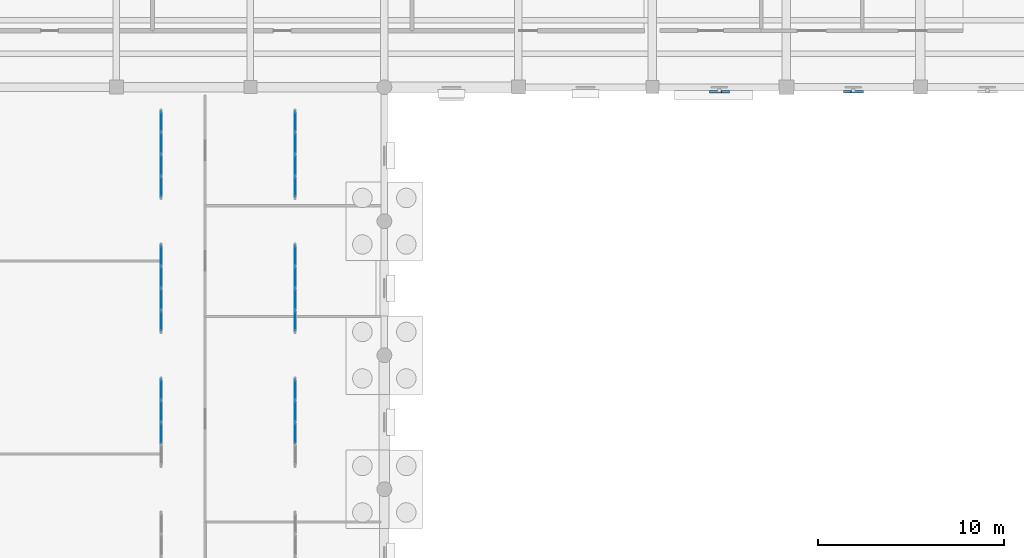
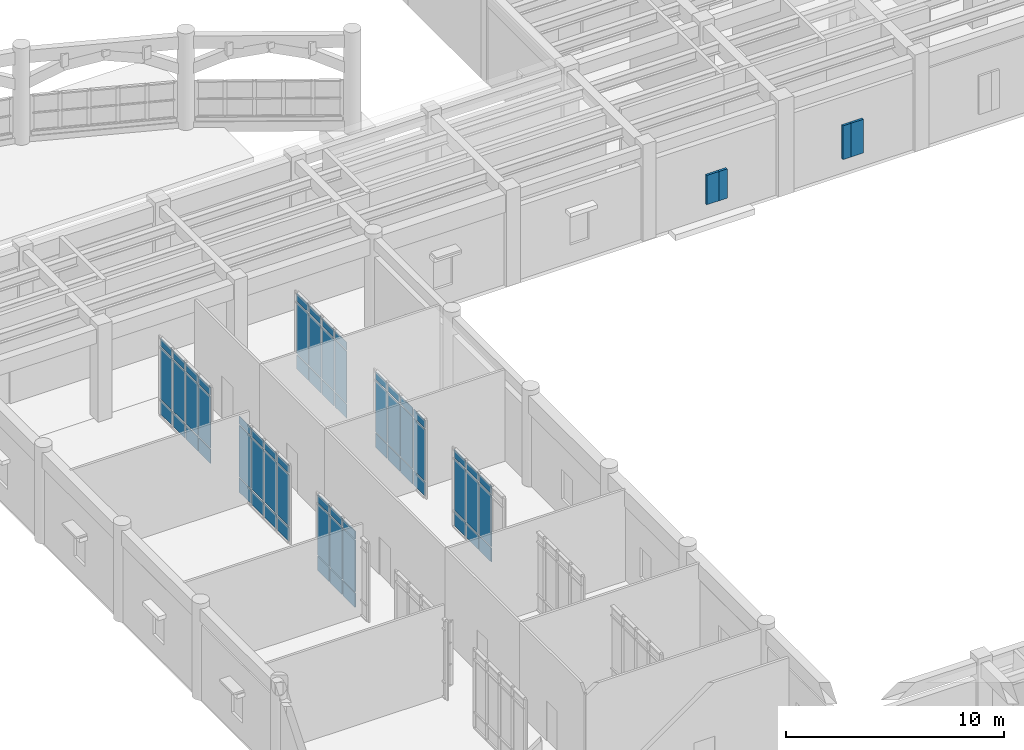
# One storey, part 59 of 100: 70 plates, 6 elements without a shape of their own.
"""IFC4 building model written with IfcOpenShell, lengths in metres."""

from ifc_helpers import new_model, si_unit, direction, frame, origin, origin_2d, place, context, subcontext, project, spatial, rectangle, extrude, material, layer, layer_set, type_object, element, aggregate, save


model = new_model("IFC4")

# Units and contexts
model_context = context("Model", 3, precision=1e-05, world=origin(), true_north=direction((0.0, 1.0)))
body_context = subcontext(model_context, "Body", "Model", "MODEL_VIEW")
ifc_project = project(units=[si_unit("LENGTHUNIT", "METRE"), si_unit("AREAUNIT", "SQUARE_METRE"), si_unit("VOLUMEUNIT", "CUBIC_METRE"), si_unit("PLANEANGLEUNIT", "RADIAN"), si_unit("MASSUNIT", "GRAM", prefix="KILO")], contexts=[model_context])

# Site, building, storey
site_placement = place(None, origin())
site = spatial("IfcSite", under=ifc_project, at=site_placement, CompositionType="ELEMENT")
building_placement = place(site_placement, origin())
building = spatial("IfcBuilding", under=site, at=building_placement, Name="Mithqara Police Headquarters", CompositionType="ELEMENT")
storey_placement = place(building_placement, origin())
storey = spatial("IfcBuildingStorey", under=building, at=storey_placement, Name="L00", CompositionType="ELEMENT", Elevation=0.0)

# Curtain wall, plates
ifc_material_1 = material(Name="Bronze anodised aluminium 6063-T6", Category="aluminium")
curtain_wall_type = type_object("IfcCurtainWallType", Name="CURTAIN WALL 4700X4400", PredefinedType="USERDEFINED", material=ifc_material_1)
curtain_wall_1_placement = place(storey_placement, origin())
curtain_wall_1 = element("IfcCurtainWall", 1, at=curtain_wall_1_placement, inside=storey, type_object=curtain_wall_type, Name="L00 Unitised Glazing CW-14 (CW-INT-L00-X11-Y09-0)", ObjectType="UNITISED GLAZING", PredefinedType="USERDEFINED")
ifc_material_2 = material(Name="Spectrally selective double low-e glass", Category="glass")
ifc_layer_1 = layer(ifc_material_2, 0.028076171875, Name="Spectrally selective double low-e glass")
ifc_layer_set_1 = layer_set([ifc_layer_1], Name="Spectrally selective double low-e glass")
plate_type_1 = type_object("IfcPlateType", Name="CWPANEL GLASS28", PredefinedType="CURTAIN_PANEL", material=ifc_layer_set_1)
plate_1_placement = place(storey_placement, frame((82.199951171875, 66.05615234375, 0.074951171875), z_axis=(0.0, 0.0, 1.0), x_axis=(0.0, 1.0, 0.0)))
plate_1 = element("IfcPlate", 2, at=plate_1_placement, type_object=plate_type_1, Name="CW-14 panel 1.1", PredefinedType="CURTAIN_PANEL", context=body_context, shape_type="SweptSolid", body=[
    extrude(rectangle(XDim=1.0625, YDim=0.028076171875, at=origin_2d()), origin(), (0.0, 0.0, 1.0), 0.78759765625),
])
plate_2_placement = place(storey_placement, frame((82.199951171875, 66.05615234375, 0.9375), z_axis=(0.0, 0.0, 1.0), x_axis=(0.0, 1.0, 0.0)))
plate_2 = element("IfcPlate", 3, at=plate_2_placement, type_object=plate_type_1, Name="CW-14 panel 1.2", PredefinedType="CURTAIN_PANEL", context=body_context, shape_type="SweptSolid", body=[
    extrude(rectangle(XDim=1.0625, YDim=0.028076171875, at=origin_2d()), origin(), (0.0, 0.0, 1.0), 2.875),
])
plate_3_placement = place(storey_placement, frame((82.199951171875, 66.05615234375, 3.887451171875), z_axis=(0.0, 0.0, 1.0), x_axis=(0.0, 1.0, 0.0)))
plate_3 = element("IfcPlate", 4, at=plate_3_placement, type_object=plate_type_1, Name="CW-14 panel 1.3", PredefinedType="CURTAIN_PANEL", context=body_context, shape_type="SweptSolid", body=[
    extrude(rectangle(XDim=1.0625, YDim=0.028076171875, at=origin_2d()), origin(), (0.0, 0.0, 1.0), 0.4375),
])
plate_4_placement = place(storey_placement, frame((82.199951171875, 67.21240234375, 0.074951171875), z_axis=(0.0, 0.0, 1.0), x_axis=(0.0, 1.0, 0.0)))
plate_4 = element("IfcPlate", 5, at=plate_4_placement, type_object=plate_type_1, Name="CW-14 panel 2.1", PredefinedType="CURTAIN_PANEL", context=body_context, shape_type="SweptSolid", body=[
    extrude(rectangle(XDim=1.10009765625, YDim=0.028076171875, at=origin_2d()), origin(), (0.0, 0.0, 1.0), 0.78759765625),
])
plate_5_placement = place(storey_placement, frame((82.199951171875, 67.21240234375, 0.9375), z_axis=(0.0, 0.0, 1.0), x_axis=(0.0, 1.0, 0.0)))
plate_5 = element("IfcPlate", 6, at=plate_5_placement, type_object=plate_type_1, Name="CW-14 panel 2.2", PredefinedType="CURTAIN_PANEL", context=body_context, shape_type="SweptSolid", body=[
    extrude(rectangle(XDim=1.10009765625, YDim=0.028076171875, at=origin_2d()), origin(), (0.0, 0.0, 1.0), 2.875),
])
plate_6_placement = place(storey_placement, frame((82.199951171875, 67.21240234375, 3.887451171875), z_axis=(0.0, 0.0, 1.0), x_axis=(0.0, 1.0, 0.0)))
plate_6 = element("IfcPlate", 7, at=plate_6_placement, type_object=plate_type_1, Name="CW-14 panel 2.3", PredefinedType="CURTAIN_PANEL", context=body_context, shape_type="SweptSolid", body=[
    extrude(rectangle(XDim=1.10009765625, YDim=0.028076171875, at=origin_2d()), origin(), (0.0, 0.0, 1.0), 0.4375),
])
plate_7_placement = place(storey_placement, frame((82.199951171875, 68.387451171875, 0.074951171875), z_axis=(0.0, 0.0, 1.0), x_axis=(0.0, 1.0, 0.0)))
plate_7 = element("IfcPlate", 8, at=plate_7_placement, type_object=plate_type_1, Name="CW-14 panel 3.1", PredefinedType="CURTAIN_PANEL", context=body_context, shape_type="SweptSolid", body=[
    extrude(rectangle(XDim=1.10009765625, YDim=0.028076171875, at=origin_2d()), origin(), (0.0, 0.0, 1.0), 0.78759765625),
])
plate_8_placement = place(storey_placement, frame((82.199951171875, 68.387451171875, 0.9375), z_axis=(0.0, 0.0, 1.0), x_axis=(0.0, 1.0, 0.0)))
plate_8 = element("IfcPlate", 9, at=plate_8_placement, type_object=plate_type_1, Name="CW-14 panel 3.2", PredefinedType="CURTAIN_PANEL", context=body_context, shape_type="SweptSolid", body=[
    extrude(rectangle(XDim=1.10009765625, YDim=0.028076171875, at=origin_2d()), origin(), (0.0, 0.0, 1.0), 2.875),
])
plate_9_placement = place(storey_placement, frame((82.199951171875, 68.387451171875, 3.887451171875), z_axis=(0.0, 0.0, 1.0), x_axis=(0.0, 1.0, 0.0)))
plate_9 = element("IfcPlate", 10, at=plate_9_placement, type_object=plate_type_1, Name="CW-14 panel 3.3", PredefinedType="CURTAIN_PANEL", context=body_context, shape_type="SweptSolid", body=[
    extrude(rectangle(XDim=1.10009765625, YDim=0.028076171875, at=origin_2d()), origin(), (0.0, 0.0, 1.0), 0.4375),
])
plate_10_placement = place(storey_placement, frame((82.199951171875, 69.543701171875, 0.074951171875), z_axis=(0.0, 0.0, 1.0), x_axis=(0.0, 1.0, 0.0)))
plate_10 = element("IfcPlate", 11, at=plate_10_placement, type_object=plate_type_1, Name="CW-14 panel 4.1", PredefinedType="CURTAIN_PANEL", context=body_context, shape_type="SweptSolid", body=[
    extrude(rectangle(XDim=1.0625, YDim=0.028076171875, at=origin_2d()), origin(), (0.0, 0.0, 1.0), 0.78759765625),
])
plate_11_placement = place(storey_placement, frame((82.199951171875, 69.543701171875, 0.9375), z_axis=(0.0, 0.0, 1.0), x_axis=(0.0, 1.0, 0.0)))
plate_11 = element("IfcPlate", 12, at=plate_11_placement, type_object=plate_type_1, Name="CW-14 panel 4.2", PredefinedType="CURTAIN_PANEL", context=body_context, shape_type="SweptSolid", body=[
    extrude(rectangle(XDim=1.0625, YDim=0.028076171875, at=origin_2d()), origin(), (0.0, 0.0, 1.0), 2.875),
])
plate_12_placement = place(storey_placement, frame((82.199951171875, 69.543701171875, 3.887451171875), z_axis=(0.0, 0.0, 1.0), x_axis=(0.0, 1.0, 0.0)))
plate_12 = element("IfcPlate", 13, at=plate_12_placement, type_object=plate_type_1, Name="CW-14 panel 4.3", PredefinedType="CURTAIN_PANEL", context=body_context, shape_type="SweptSolid", body=[
    extrude(rectangle(XDim=1.0625, YDim=0.028076171875, at=origin_2d()), origin(), (0.0, 0.0, 1.0), 0.4375),
])
aggregate(curtain_wall_1, [plate_1, plate_2, plate_3, plate_4, plate_5, plate_6, plate_7, plate_8, plate_9, plate_10, plate_11, plate_12])

curtain_wall_2_placement = place(storey_placement, origin())
curtain_wall_2 = element("IfcCurtainWall", 14, at=curtain_wall_2_placement, inside=storey, type_object=curtain_wall_type, Name="L00 Unitised Glazing CW-14 (CW-INT-L00-X11-Y10-0)", ObjectType="UNITISED GLAZING", PredefinedType="USERDEFINED")
plate_13_placement = place(storey_placement, frame((82.199951171875, 73.25634765625, 0.074951171875), z_axis=(0.0, 0.0, 1.0), x_axis=(0.0, 1.0, 0.0)))
plate_13 = element("IfcPlate", 15, at=plate_13_placement, type_object=plate_type_1, Name="CW-14 panel 1.1", PredefinedType="CURTAIN_PANEL", context=body_context, shape_type="SweptSolid", body=[
    extrude(rectangle(XDim=1.0625, YDim=0.028076171875, at=origin_2d()), origin(), (0.0, 0.0, 1.0), 0.78759765625),
])
plate_14_placement = place(storey_placement, frame((82.199951171875, 73.25634765625, 0.9375), z_axis=(0.0, 0.0, 1.0), x_axis=(0.0, 1.0, 0.0)))
plate_14 = element("IfcPlate", 16, at=plate_14_placement, type_object=plate_type_1, Name="CW-14 panel 1.2", PredefinedType="CURTAIN_PANEL", context=body_context, shape_type="SweptSolid", body=[
    extrude(rectangle(XDim=1.0625, YDim=0.028076171875, at=origin_2d()), origin(), (0.0, 0.0, 1.0), 2.875),
])
plate_15_placement = place(storey_placement, frame((82.199951171875, 73.25634765625, 3.887451171875), z_axis=(0.0, 0.0, 1.0), x_axis=(0.0, 1.0, 0.0)))
plate_15 = element("IfcPlate", 17, at=plate_15_placement, type_object=plate_type_1, Name="CW-14 panel 1.3", PredefinedType="CURTAIN_PANEL", context=body_context, shape_type="SweptSolid", body=[
    extrude(rectangle(XDim=1.0625, YDim=0.028076171875, at=origin_2d()), origin(), (0.0, 0.0, 1.0), 0.4375),
])
plate_16_placement = place(storey_placement, frame((82.199951171875, 74.41259765625, 0.074951171875), z_axis=(0.0, 0.0, 1.0), x_axis=(0.0, 1.0, 0.0)))
plate_16 = element("IfcPlate", 18, at=plate_16_placement, type_object=plate_type_1, Name="CW-14 panel 2.1", PredefinedType="CURTAIN_PANEL", context=body_context, shape_type="SweptSolid", body=[
    extrude(rectangle(XDim=1.10009765625, YDim=0.028076171875, at=origin_2d()), origin(), (0.0, 0.0, 1.0), 0.78759765625),
])
plate_17_placement = place(storey_placement, frame((82.199951171875, 74.41259765625, 0.9375), z_axis=(0.0, 0.0, 1.0), x_axis=(0.0, 1.0, 0.0)))
plate_17 = element("IfcPlate", 19, at=plate_17_placement, type_object=plate_type_1, Name="CW-14 panel 2.2", PredefinedType="CURTAIN_PANEL", context=body_context, shape_type="SweptSolid", body=[
    extrude(rectangle(XDim=1.10009765625, YDim=0.028076171875, at=origin_2d()), origin(), (0.0, 0.0, 1.0), 2.875),
])
plate_18_placement = place(storey_placement, frame((82.199951171875, 74.41259765625, 3.887451171875), z_axis=(0.0, 0.0, 1.0), x_axis=(0.0, 1.0, 0.0)))
plate_18 = element("IfcPlate", 20, at=plate_18_placement, type_object=plate_type_1, Name="CW-14 panel 2.3", PredefinedType="CURTAIN_PANEL", context=body_context, shape_type="SweptSolid", body=[
    extrude(rectangle(XDim=1.10009765625, YDim=0.028076171875, at=origin_2d()), origin(), (0.0, 0.0, 1.0), 0.4375),
])
plate_19_placement = place(storey_placement, frame((82.199951171875, 75.58740234375, 0.074951171875), z_axis=(0.0, 0.0, 1.0), x_axis=(0.0, 1.0, 0.0)))
plate_19 = element("IfcPlate", 21, at=plate_19_placement, type_object=plate_type_1, Name="CW-14 panel 3.1", PredefinedType="CURTAIN_PANEL", context=body_context, shape_type="SweptSolid", body=[
    extrude(rectangle(XDim=1.10009765625, YDim=0.028076171875, at=origin_2d()), origin(), (0.0, 0.0, 1.0), 0.78759765625),
])
plate_20_placement = place(storey_placement, frame((82.199951171875, 75.58740234375, 0.9375), z_axis=(0.0, 0.0, 1.0), x_axis=(0.0, 1.0, 0.0)))
plate_20 = element("IfcPlate", 22, at=plate_20_placement, type_object=plate_type_1, Name="CW-14 panel 3.2", PredefinedType="CURTAIN_PANEL", context=body_context, shape_type="SweptSolid", body=[
    extrude(rectangle(XDim=1.10009765625, YDim=0.028076171875, at=origin_2d()), origin(), (0.0, 0.0, 1.0), 2.875),
])
plate_21_placement = place(storey_placement, frame((82.199951171875, 75.58740234375, 3.887451171875), z_axis=(0.0, 0.0, 1.0), x_axis=(0.0, 1.0, 0.0)))
plate_21 = element("IfcPlate", 23, at=plate_21_placement, type_object=plate_type_1, Name="CW-14 panel 3.3", PredefinedType="CURTAIN_PANEL", context=body_context, shape_type="SweptSolid", body=[
    extrude(rectangle(XDim=1.10009765625, YDim=0.028076171875, at=origin_2d()), origin(), (0.0, 0.0, 1.0), 0.4375),
])
plate_22_placement = place(storey_placement, frame((82.199951171875, 76.74365234375, 0.074951171875), z_axis=(0.0, 0.0, 1.0), x_axis=(0.0, 1.0, 0.0)))
plate_22 = element("IfcPlate", 24, at=plate_22_placement, type_object=plate_type_1, Name="CW-14 panel 4.1", PredefinedType="CURTAIN_PANEL", context=body_context, shape_type="SweptSolid", body=[
    extrude(rectangle(XDim=1.0625, YDim=0.028076171875, at=origin_2d()), origin(), (0.0, 0.0, 1.0), 0.78759765625),
])
plate_23_placement = place(storey_placement, frame((82.199951171875, 76.74365234375, 0.9375), z_axis=(0.0, 0.0, 1.0), x_axis=(0.0, 1.0, 0.0)))
plate_23 = element("IfcPlate", 25, at=plate_23_placement, type_object=plate_type_1, Name="CW-14 panel 4.2", PredefinedType="CURTAIN_PANEL", context=body_context, shape_type="SweptSolid", body=[
    extrude(rectangle(XDim=1.0625, YDim=0.028076171875, at=origin_2d()), origin(), (0.0, 0.0, 1.0), 2.875),
])
plate_24_placement = place(storey_placement, frame((82.199951171875, 76.74365234375, 3.887451171875), z_axis=(0.0, 0.0, 1.0), x_axis=(0.0, 1.0, 0.0)))
plate_24 = element("IfcPlate", 26, at=plate_24_placement, type_object=plate_type_1, Name="CW-14 panel 4.3", PredefinedType="CURTAIN_PANEL", context=body_context, shape_type="SweptSolid", body=[
    extrude(rectangle(XDim=1.0625, YDim=0.028076171875, at=origin_2d()), origin(), (0.0, 0.0, 1.0), 0.4375),
])
aggregate(curtain_wall_2, [plate_13, plate_14, plate_15, plate_16, plate_17, plate_18, plate_19, plate_20, plate_21, plate_22, plate_23, plate_24])

curtain_wall_3_placement = place(storey_placement, origin())
curtain_wall_3 = element("IfcCurtainWall", 27, at=curtain_wall_3_placement, inside=storey, type_object=curtain_wall_type, Name="L00 Unitised Glazing CW-14 (CW-INT-L00-X12-Y08-0)", ObjectType="UNITISED GLAZING", PredefinedType="USERDEFINED")
plate_25_placement = place(storey_placement, frame((89.39990234375, 60.012451171875, 0.074951171875), z_axis=(0.0, 0.0, 1.0), x_axis=(0.0, 1.0, 0.0)))
plate_25 = element("IfcPlate", 28, at=plate_25_placement, type_object=plate_type_1, Name="CW-14 panel 2.1", PredefinedType="CURTAIN_PANEL", context=body_context, shape_type="SweptSolid", body=[
    extrude(rectangle(XDim=1.10009765625, YDim=0.028076171875, at=origin_2d()), origin(), (0.0, 0.0, 1.0), 0.78759765625),
])
plate_26_placement = place(storey_placement, frame((89.39990234375, 60.012451171875, 0.9375), z_axis=(0.0, 0.0, 1.0), x_axis=(0.0, 1.0, 0.0)))
plate_26 = element("IfcPlate", 29, at=plate_26_placement, type_object=plate_type_1, Name="CW-14 panel 2.2", PredefinedType="CURTAIN_PANEL", context=body_context, shape_type="SweptSolid", body=[
    extrude(rectangle(XDim=1.10009765625, YDim=0.028076171875, at=origin_2d()), origin(), (0.0, 0.0, 1.0), 2.875),
])
plate_27_placement = place(storey_placement, frame((89.39990234375, 60.012451171875, 3.887451171875), z_axis=(0.0, 0.0, 1.0), x_axis=(0.0, 1.0, 0.0)))
plate_27 = element("IfcPlate", 30, at=plate_27_placement, type_object=plate_type_1, Name="CW-14 panel 2.3", PredefinedType="CURTAIN_PANEL", context=body_context, shape_type="SweptSolid", body=[
    extrude(rectangle(XDim=1.10009765625, YDim=0.028076171875, at=origin_2d()), origin(), (0.0, 0.0, 1.0), 0.4375),
])
plate_28_placement = place(storey_placement, frame((89.39990234375, 61.1875, 0.074951171875), z_axis=(0.0, 0.0, 1.0), x_axis=(0.0, 1.0, 0.0)))
plate_28 = element("IfcPlate", 31, at=plate_28_placement, type_object=plate_type_1, Name="CW-14 panel 3.1", PredefinedType="CURTAIN_PANEL", context=body_context, shape_type="SweptSolid", body=[
    extrude(rectangle(XDim=1.10009765625, YDim=0.028076171875, at=origin_2d()), origin(), (0.0, 0.0, 1.0), 0.78759765625),
])
plate_29_placement = place(storey_placement, frame((89.39990234375, 61.1875, 0.9375), z_axis=(0.0, 0.0, 1.0), x_axis=(0.0, 1.0, 0.0)))
plate_29 = element("IfcPlate", 32, at=plate_29_placement, type_object=plate_type_1, Name="CW-14 panel 3.2", PredefinedType="CURTAIN_PANEL", context=body_context, shape_type="SweptSolid", body=[
    extrude(rectangle(XDim=1.10009765625, YDim=0.028076171875, at=origin_2d()), origin(), (0.0, 0.0, 1.0), 2.875),
])
plate_30_placement = place(storey_placement, frame((89.39990234375, 61.1875, 3.887451171875), z_axis=(0.0, 0.0, 1.0), x_axis=(0.0, 1.0, 0.0)))
plate_30 = element("IfcPlate", 33, at=plate_30_placement, type_object=plate_type_1, Name="CW-14 panel 3.3", PredefinedType="CURTAIN_PANEL", context=body_context, shape_type="SweptSolid", body=[
    extrude(rectangle(XDim=1.10009765625, YDim=0.028076171875, at=origin_2d()), origin(), (0.0, 0.0, 1.0), 0.4375),
])
plate_31_placement = place(storey_placement, frame((89.39990234375, 62.34375, 0.074951171875), z_axis=(0.0, 0.0, 1.0), x_axis=(0.0, 1.0, 0.0)))
plate_31 = element("IfcPlate", 34, at=plate_31_placement, type_object=plate_type_1, Name="CW-14 panel 4.1", PredefinedType="CURTAIN_PANEL", context=body_context, shape_type="SweptSolid", body=[
    extrude(rectangle(XDim=1.0625, YDim=0.028076171875, at=origin_2d()), origin(), (0.0, 0.0, 1.0), 0.78759765625),
])
plate_32_placement = place(storey_placement, frame((89.39990234375, 62.34375, 0.9375), z_axis=(0.0, 0.0, 1.0), x_axis=(0.0, 1.0, 0.0)))
plate_32 = element("IfcPlate", 35, at=plate_32_placement, type_object=plate_type_1, Name="CW-14 panel 4.2", PredefinedType="CURTAIN_PANEL", context=body_context, shape_type="SweptSolid", body=[
    extrude(rectangle(XDim=1.0625, YDim=0.028076171875, at=origin_2d()), origin(), (0.0, 0.0, 1.0), 2.875),
])
plate_33_placement = place(storey_placement, frame((89.39990234375, 62.34375, 3.887451171875), z_axis=(0.0, 0.0, 1.0), x_axis=(0.0, 1.0, 0.0)))
plate_33 = element("IfcPlate", 36, at=plate_33_placement, type_object=plate_type_1, Name="CW-14 panel 4.3", PredefinedType="CURTAIN_PANEL", context=body_context, shape_type="SweptSolid", body=[
    extrude(rectangle(XDim=1.0625, YDim=0.028076171875, at=origin_2d()), origin(), (0.0, 0.0, 1.0), 0.4375),
])
aggregate(curtain_wall_3, [plate_25, plate_26, plate_27, plate_28, plate_29, plate_30, plate_31, plate_32, plate_33])

curtain_wall_4_placement = place(storey_placement, origin())
curtain_wall_4 = element("IfcCurtainWall", 37, at=curtain_wall_4_placement, inside=storey, type_object=curtain_wall_type, Name="L00 Unitised Glazing CW-14 (CW-INT-L00-X12-Y09-0)", ObjectType="UNITISED GLAZING", PredefinedType="USERDEFINED")
plate_34_placement = place(storey_placement, frame((89.39990234375, 66.05615234375, 0.074951171875), z_axis=(0.0, 0.0, 1.0), x_axis=(0.0, 1.0, 0.0)))
plate_34 = element("IfcPlate", 38, at=plate_34_placement, type_object=plate_type_1, Name="CW-14 panel 1.1", PredefinedType="CURTAIN_PANEL", context=body_context, shape_type="SweptSolid", body=[
    extrude(rectangle(XDim=1.0625, YDim=0.028076171875, at=origin_2d()), origin(), (0.0, 0.0, 1.0), 0.78759765625),
])
plate_35_placement = place(storey_placement, frame((89.39990234375, 66.05615234375, 0.9375), z_axis=(0.0, 0.0, 1.0), x_axis=(0.0, 1.0, 0.0)))
plate_35 = element("IfcPlate", 39, at=plate_35_placement, type_object=plate_type_1, Name="CW-14 panel 1.2", PredefinedType="CURTAIN_PANEL", context=body_context, shape_type="SweptSolid", body=[
    extrude(rectangle(XDim=1.0625, YDim=0.028076171875, at=origin_2d()), origin(), (0.0, 0.0, 1.0), 2.875),
])
plate_36_placement = place(storey_placement, frame((89.39990234375, 66.05615234375, 3.887451171875), z_axis=(0.0, 0.0, 1.0), x_axis=(0.0, 1.0, 0.0)))
plate_36 = element("IfcPlate", 40, at=plate_36_placement, type_object=plate_type_1, Name="CW-14 panel 1.3", PredefinedType="CURTAIN_PANEL", context=body_context, shape_type="SweptSolid", body=[
    extrude(rectangle(XDim=1.0625, YDim=0.028076171875, at=origin_2d()), origin(), (0.0, 0.0, 1.0), 0.4375),
])
plate_37_placement = place(storey_placement, frame((89.39990234375, 67.21240234375, 0.074951171875), z_axis=(0.0, 0.0, 1.0), x_axis=(0.0, 1.0, 0.0)))
plate_37 = element("IfcPlate", 41, at=plate_37_placement, type_object=plate_type_1, Name="CW-14 panel 2.1", PredefinedType="CURTAIN_PANEL", context=body_context, shape_type="SweptSolid", body=[
    extrude(rectangle(XDim=1.10009765625, YDim=0.028076171875, at=origin_2d()), origin(), (0.0, 0.0, 1.0), 0.78759765625),
])
plate_38_placement = place(storey_placement, frame((89.39990234375, 67.21240234375, 0.9375), z_axis=(0.0, 0.0, 1.0), x_axis=(0.0, 1.0, 0.0)))
plate_38 = element("IfcPlate", 42, at=plate_38_placement, type_object=plate_type_1, Name="CW-14 panel 2.2", PredefinedType="CURTAIN_PANEL", context=body_context, shape_type="SweptSolid", body=[
    extrude(rectangle(XDim=1.10009765625, YDim=0.028076171875, at=origin_2d()), origin(), (0.0, 0.0, 1.0), 2.875),
])
plate_39_placement = place(storey_placement, frame((89.39990234375, 67.21240234375, 3.887451171875), z_axis=(0.0, 0.0, 1.0), x_axis=(0.0, 1.0, 0.0)))
plate_39 = element("IfcPlate", 43, at=plate_39_placement, type_object=plate_type_1, Name="CW-14 panel 2.3", PredefinedType="CURTAIN_PANEL", context=body_context, shape_type="SweptSolid", body=[
    extrude(rectangle(XDim=1.10009765625, YDim=0.028076171875, at=origin_2d()), origin(), (0.0, 0.0, 1.0), 0.4375),
])
plate_40_placement = place(storey_placement, frame((89.39990234375, 68.387451171875, 0.074951171875), z_axis=(0.0, 0.0, 1.0), x_axis=(0.0, 1.0, 0.0)))
plate_40 = element("IfcPlate", 44, at=plate_40_placement, type_object=plate_type_1, Name="CW-14 panel 3.1", PredefinedType="CURTAIN_PANEL", context=body_context, shape_type="SweptSolid", body=[
    extrude(rectangle(XDim=1.10009765625, YDim=0.028076171875, at=origin_2d()), origin(), (0.0, 0.0, 1.0), 0.78759765625),
])
plate_41_placement = place(storey_placement, frame((89.39990234375, 68.387451171875, 0.9375), z_axis=(0.0, 0.0, 1.0), x_axis=(0.0, 1.0, 0.0)))
plate_41 = element("IfcPlate", 45, at=plate_41_placement, type_object=plate_type_1, Name="CW-14 panel 3.2", PredefinedType="CURTAIN_PANEL", context=body_context, shape_type="SweptSolid", body=[
    extrude(rectangle(XDim=1.10009765625, YDim=0.028076171875, at=origin_2d()), origin(), (0.0, 0.0, 1.0), 2.875),
])
plate_42_placement = place(storey_placement, frame((89.39990234375, 68.387451171875, 3.887451171875), z_axis=(0.0, 0.0, 1.0), x_axis=(0.0, 1.0, 0.0)))
plate_42 = element("IfcPlate", 46, at=plate_42_placement, type_object=plate_type_1, Name="CW-14 panel 3.3", PredefinedType="CURTAIN_PANEL", context=body_context, shape_type="SweptSolid", body=[
    extrude(rectangle(XDim=1.10009765625, YDim=0.028076171875, at=origin_2d()), origin(), (0.0, 0.0, 1.0), 0.4375),
])
plate_43_placement = place(storey_placement, frame((89.39990234375, 69.543701171875, 0.074951171875), z_axis=(0.0, 0.0, 1.0), x_axis=(0.0, 1.0, 0.0)))
plate_43 = element("IfcPlate", 47, at=plate_43_placement, type_object=plate_type_1, Name="CW-14 panel 4.1", PredefinedType="CURTAIN_PANEL", context=body_context, shape_type="SweptSolid", body=[
    extrude(rectangle(XDim=1.0625, YDim=0.028076171875, at=origin_2d()), origin(), (0.0, 0.0, 1.0), 0.78759765625),
])
plate_44_placement = place(storey_placement, frame((89.39990234375, 69.543701171875, 0.9375), z_axis=(0.0, 0.0, 1.0), x_axis=(0.0, 1.0, 0.0)))
plate_44 = element("IfcPlate", 48, at=plate_44_placement, type_object=plate_type_1, Name="CW-14 panel 4.2", PredefinedType="CURTAIN_PANEL", context=body_context, shape_type="SweptSolid", body=[
    extrude(rectangle(XDim=1.0625, YDim=0.028076171875, at=origin_2d()), origin(), (0.0, 0.0, 1.0), 2.875),
])
plate_45_placement = place(storey_placement, frame((89.39990234375, 69.543701171875, 3.887451171875), z_axis=(0.0, 0.0, 1.0), x_axis=(0.0, 1.0, 0.0)))
plate_45 = element("IfcPlate", 49, at=plate_45_placement, type_object=plate_type_1, Name="CW-14 panel 4.3", PredefinedType="CURTAIN_PANEL", context=body_context, shape_type="SweptSolid", body=[
    extrude(rectangle(XDim=1.0625, YDim=0.028076171875, at=origin_2d()), origin(), (0.0, 0.0, 1.0), 0.4375),
])
aggregate(curtain_wall_4, [plate_34, plate_35, plate_36, plate_37, plate_38, plate_39, plate_40, plate_41, plate_42, plate_43, plate_44, plate_45])

curtain_wall_5_placement = place(storey_placement, origin())
curtain_wall_5 = element("IfcCurtainWall", 50, at=curtain_wall_5_placement, inside=storey, type_object=curtain_wall_type, Name="L00 Unitised Glazing CW-14 (CW-INT-L00-X12-Y10-0)", ObjectType="UNITISED GLAZING", PredefinedType="USERDEFINED")
plate_46_placement = place(storey_placement, frame((89.39990234375, 73.25634765625, 0.074951171875), z_axis=(0.0, 0.0, 1.0), x_axis=(0.0, 1.0, 0.0)))
plate_46 = element("IfcPlate", 51, at=plate_46_placement, type_object=plate_type_1, Name="CW-14 panel 1.1", PredefinedType="CURTAIN_PANEL", context=body_context, shape_type="SweptSolid", body=[
    extrude(rectangle(XDim=1.0625, YDim=0.028076171875, at=origin_2d()), origin(), (0.0, 0.0, 1.0), 0.78759765625),
])
plate_47_placement = place(storey_placement, frame((89.39990234375, 73.25634765625, 0.9375), z_axis=(0.0, 0.0, 1.0), x_axis=(0.0, 1.0, 0.0)))
plate_47 = element("IfcPlate", 52, at=plate_47_placement, type_object=plate_type_1, Name="CW-14 panel 1.2", PredefinedType="CURTAIN_PANEL", context=body_context, shape_type="SweptSolid", body=[
    extrude(rectangle(XDim=1.0625, YDim=0.028076171875, at=origin_2d()), origin(), (0.0, 0.0, 1.0), 2.875),
])
plate_48_placement = place(storey_placement, frame((89.39990234375, 73.25634765625, 3.887451171875), z_axis=(0.0, 0.0, 1.0), x_axis=(0.0, 1.0, 0.0)))
plate_48 = element("IfcPlate", 53, at=plate_48_placement, type_object=plate_type_1, Name="CW-14 panel 1.3", PredefinedType="CURTAIN_PANEL", context=body_context, shape_type="SweptSolid", body=[
    extrude(rectangle(XDim=1.0625, YDim=0.028076171875, at=origin_2d()), origin(), (0.0, 0.0, 1.0), 0.4375),
])
plate_49_placement = place(storey_placement, frame((89.39990234375, 74.41259765625, 0.074951171875), z_axis=(0.0, 0.0, 1.0), x_axis=(0.0, 1.0, 0.0)))
plate_49 = element("IfcPlate", 54, at=plate_49_placement, type_object=plate_type_1, Name="CW-14 panel 2.1", PredefinedType="CURTAIN_PANEL", context=body_context, shape_type="SweptSolid", body=[
    extrude(rectangle(XDim=1.10009765625, YDim=0.028076171875, at=origin_2d()), origin(), (0.0, 0.0, 1.0), 0.78759765625),
])
plate_50_placement = place(storey_placement, frame((89.39990234375, 74.41259765625, 0.9375), z_axis=(0.0, 0.0, 1.0), x_axis=(0.0, 1.0, 0.0)))
plate_50 = element("IfcPlate", 55, at=plate_50_placement, type_object=plate_type_1, Name="CW-14 panel 2.2", PredefinedType="CURTAIN_PANEL", context=body_context, shape_type="SweptSolid", body=[
    extrude(rectangle(XDim=1.10009765625, YDim=0.028076171875, at=origin_2d()), origin(), (0.0, 0.0, 1.0), 2.875),
])
plate_51_placement = place(storey_placement, frame((89.39990234375, 74.41259765625, 3.887451171875), z_axis=(0.0, 0.0, 1.0), x_axis=(0.0, 1.0, 0.0)))
plate_51 = element("IfcPlate", 56, at=plate_51_placement, type_object=plate_type_1, Name="CW-14 panel 2.3", PredefinedType="CURTAIN_PANEL", context=body_context, shape_type="SweptSolid", body=[
    extrude(rectangle(XDim=1.10009765625, YDim=0.028076171875, at=origin_2d()), origin(), (0.0, 0.0, 1.0), 0.4375),
])
plate_52_placement = place(storey_placement, frame((89.39990234375, 75.58740234375, 0.074951171875), z_axis=(0.0, 0.0, 1.0), x_axis=(0.0, 1.0, 0.0)))
plate_52 = element("IfcPlate", 57, at=plate_52_placement, type_object=plate_type_1, Name="CW-14 panel 3.1", PredefinedType="CURTAIN_PANEL", context=body_context, shape_type="SweptSolid", body=[
    extrude(rectangle(XDim=1.10009765625, YDim=0.028076171875, at=origin_2d()), origin(), (0.0, 0.0, 1.0), 0.78759765625),
])
plate_53_placement = place(storey_placement, frame((89.39990234375, 75.58740234375, 0.9375), z_axis=(0.0, 0.0, 1.0), x_axis=(0.0, 1.0, 0.0)))
plate_53 = element("IfcPlate", 58, at=plate_53_placement, type_object=plate_type_1, Name="CW-14 panel 3.2", PredefinedType="CURTAIN_PANEL", context=body_context, shape_type="SweptSolid", body=[
    extrude(rectangle(XDim=1.10009765625, YDim=0.028076171875, at=origin_2d()), origin(), (0.0, 0.0, 1.0), 2.875),
])
plate_54_placement = place(storey_placement, frame((89.39990234375, 75.58740234375, 3.887451171875), z_axis=(0.0, 0.0, 1.0), x_axis=(0.0, 1.0, 0.0)))
plate_54 = element("IfcPlate", 59, at=plate_54_placement, type_object=plate_type_1, Name="CW-14 panel 3.3", PredefinedType="CURTAIN_PANEL", context=body_context, shape_type="SweptSolid", body=[
    extrude(rectangle(XDim=1.10009765625, YDim=0.028076171875, at=origin_2d()), origin(), (0.0, 0.0, 1.0), 0.4375),
])
plate_55_placement = place(storey_placement, frame((89.39990234375, 76.74365234375, 0.074951171875), z_axis=(0.0, 0.0, 1.0), x_axis=(0.0, 1.0, 0.0)))
plate_55 = element("IfcPlate", 60, at=plate_55_placement, type_object=plate_type_1, Name="CW-14 panel 4.1", PredefinedType="CURTAIN_PANEL", context=body_context, shape_type="SweptSolid", body=[
    extrude(rectangle(XDim=1.0625, YDim=0.028076171875, at=origin_2d()), origin(), (0.0, 0.0, 1.0), 0.78759765625),
])
plate_56_placement = place(storey_placement, frame((89.39990234375, 76.74365234375, 0.9375), z_axis=(0.0, 0.0, 1.0), x_axis=(0.0, 1.0, 0.0)))
plate_56 = element("IfcPlate", 61, at=plate_56_placement, type_object=plate_type_1, Name="CW-14 panel 4.2", PredefinedType="CURTAIN_PANEL", context=body_context, shape_type="SweptSolid", body=[
    extrude(rectangle(XDim=1.0625, YDim=0.028076171875, at=origin_2d()), origin(), (0.0, 0.0, 1.0), 2.875),
])
plate_57_placement = place(storey_placement, frame((89.39990234375, 76.74365234375, 3.887451171875), z_axis=(0.0, 0.0, 1.0), x_axis=(0.0, 1.0, 0.0)))
plate_57 = element("IfcPlate", 62, at=plate_57_placement, type_object=plate_type_1, Name="CW-14 panel 4.3", PredefinedType="CURTAIN_PANEL", context=body_context, shape_type="SweptSolid", body=[
    extrude(rectangle(XDim=1.0625, YDim=0.028076171875, at=origin_2d()), origin(), (0.0, 0.0, 1.0), 0.4375),
])
aggregate(curtain_wall_5, [plate_46, plate_47, plate_48, plate_49, plate_50, plate_51, plate_52, plate_53, plate_54, plate_55, plate_56, plate_57])

curtain_wall_6_placement = place(storey_placement, origin())
curtain_wall_6 = element("IfcCurtainWall", 63, at=curtain_wall_6_placement, inside=storey, type_object=curtain_wall_type, Name="L00 Unitised Glazing CW-14 (CW-INT-L00-X11-Y08-0)", ObjectType="UNITISED GLAZING", PredefinedType="USERDEFINED")
ifc_material_3 = material(Name="Insulated bronze aluminium spandrel panel", Category="aluminium")
ifc_layer_2 = layer(ifc_material_3, 0.048095703125, Name="Insulated bronze aluminium spandrel panel")
ifc_layer_set_2 = layer_set([ifc_layer_2], Name="Insulated bronze aluminium spandrel panel")
plate_type_2 = type_object("IfcPlateType", Name="CWPANEL SPANDREL48", PredefinedType="CURTAIN_PANEL", material=ifc_layer_set_2)
plate_58_placement = place(storey_placement, frame((82.199951171875, 60.012451171875, 0.074951171875), z_axis=(0.0, 0.0, 1.0), x_axis=(0.0, 1.0, 0.0)))
plate_58 = element("IfcPlate", 64, at=plate_58_placement, type_object=plate_type_2, Name="CW-14 panel 2.1", PredefinedType="CURTAIN_PANEL", context=body_context, shape_type="SweptSolid", body=[
    extrude(rectangle(XDim=1.10009765625, YDim=0.048095703125, at=origin_2d()), origin(), (0.0, 0.0, 1.0), 0.78759765625),
])
plate_59_placement = place(storey_placement, frame((82.199951171875, 60.012451171875, 0.9375), z_axis=(0.0, 0.0, 1.0), x_axis=(0.0, 1.0, 0.0)))
plate_59 = element("IfcPlate", 65, at=plate_59_placement, type_object=plate_type_2, Name="CW-14 panel 2.2", PredefinedType="CURTAIN_PANEL", context=body_context, shape_type="SweptSolid", body=[
    extrude(rectangle(XDim=1.10009765625, YDim=0.048095703125, at=origin_2d()), origin(), (0.0, 0.0, 1.0), 2.875),
])
plate_60_placement = place(storey_placement, frame((82.199951171875, 60.012451171875, 3.887451171875), z_axis=(0.0, 0.0, 1.0), x_axis=(0.0, 1.0, 0.0)))
plate_60 = element("IfcPlate", 66, at=plate_60_placement, type_object=plate_type_2, Name="CW-14 panel 2.3", PredefinedType="CURTAIN_PANEL", context=body_context, shape_type="SweptSolid", body=[
    extrude(rectangle(XDim=1.10009765625, YDim=0.048095703125, at=origin_2d()), origin(), (0.0, 0.0, 1.0), 0.4375),
])
plate_61_placement = place(storey_placement, frame((82.199951171875, 61.1875, 0.074951171875), z_axis=(0.0, 0.0, 1.0), x_axis=(0.0, 1.0, 0.0)))
plate_61 = element("IfcPlate", 67, at=plate_61_placement, type_object=plate_type_2, Name="CW-14 panel 3.1", PredefinedType="CURTAIN_PANEL", context=body_context, shape_type="SweptSolid", body=[
    extrude(rectangle(XDim=1.10009765625, YDim=0.048095703125, at=origin_2d()), origin(), (0.0, 0.0, 1.0), 0.78759765625),
])
plate_62_placement = place(storey_placement, frame((82.199951171875, 61.1875, 0.9375), z_axis=(0.0, 0.0, 1.0), x_axis=(0.0, 1.0, 0.0)))
plate_62 = element("IfcPlate", 68, at=plate_62_placement, type_object=plate_type_2, Name="CW-14 panel 3.2", PredefinedType="CURTAIN_PANEL", context=body_context, shape_type="SweptSolid", body=[
    extrude(rectangle(XDim=1.10009765625, YDim=0.048095703125, at=origin_2d()), origin(), (0.0, 0.0, 1.0), 2.875),
])
plate_63_placement = place(storey_placement, frame((82.199951171875, 61.1875, 3.887451171875), z_axis=(0.0, 0.0, 1.0), x_axis=(0.0, 1.0, 0.0)))
plate_63 = element("IfcPlate", 69, at=plate_63_placement, type_object=plate_type_2, Name="CW-14 panel 3.3", PredefinedType="CURTAIN_PANEL", context=body_context, shape_type="SweptSolid", body=[
    extrude(rectangle(XDim=1.10009765625, YDim=0.048095703125, at=origin_2d()), origin(), (0.0, 0.0, 1.0), 0.4375),
])
plate_64_placement = place(storey_placement, frame((82.199951171875, 62.34375, 0.074951171875), z_axis=(0.0, 0.0, 1.0), x_axis=(0.0, 1.0, 0.0)))
plate_64 = element("IfcPlate", 70, at=plate_64_placement, type_object=plate_type_2, Name="CW-14 panel 4.1", PredefinedType="CURTAIN_PANEL", context=body_context, shape_type="SweptSolid", body=[
    extrude(rectangle(XDim=1.0625, YDim=0.048095703125, at=origin_2d()), origin(), (0.0, 0.0, 1.0), 0.78759765625),
])
plate_65_placement = place(storey_placement, frame((82.199951171875, 62.34375, 0.9375), z_axis=(0.0, 0.0, 1.0), x_axis=(0.0, 1.0, 0.0)))
plate_65 = element("IfcPlate", 71, at=plate_65_placement, type_object=plate_type_2, Name="CW-14 panel 4.2", PredefinedType="CURTAIN_PANEL", context=body_context, shape_type="SweptSolid", body=[
    extrude(rectangle(XDim=1.0625, YDim=0.048095703125, at=origin_2d()), origin(), (0.0, 0.0, 1.0), 2.875),
])
plate_66_placement = place(storey_placement, frame((82.199951171875, 62.34375, 3.887451171875), z_axis=(0.0, 0.0, 1.0), x_axis=(0.0, 1.0, 0.0)))
plate_66 = element("IfcPlate", 72, at=plate_66_placement, type_object=plate_type_2, Name="CW-14 panel 4.3", PredefinedType="CURTAIN_PANEL", context=body_context, shape_type="SweptSolid", body=[
    extrude(rectangle(XDim=1.0625, YDim=0.048095703125, at=origin_2d()), origin(), (0.0, 0.0, 1.0), 0.4375),
])
aggregate(curtain_wall_6, [plate_58, plate_59, plate_60, plate_61, plate_62, plate_63, plate_64, plate_65, plate_66])

# Plates
ifc_material_4 = material(Name="Limestone ashlar masonry, 45 MPa", Category="masonry")
ifc_layer_3 = layer(ifc_material_4, 0.1201171875, Name="Limestone ashlar masonry, 45 MPa")
ifc_layer_set_3 = layer_set([ifc_layer_3], Name="Limestone ashlar masonry, 45 MPa")
plate_type_3 = type_object("IfcPlateType", Name="STONE SCREEN 120", PredefinedType="USERDEFINED", material=ifc_layer_set_3)
for number, where, z_axis, x_axis, name in (
    (73, (111.987548828125, 78.360107421875, 0.830078125), (0.0, 0.0, 1.0), (1.0, 0.0, 0.0), "L00 Pierced Limestone Vertical-Slit Panel 27"),
    (74, (112.41259765625, 78.360107421875, 0.830078125), (0.0, 0.0, 1.0), (1.0, 0.0, 0.0), "L00 Pierced Limestone Vertical-Slit Panel 28"),
):
    element("IfcPlate", number, at=place(storey_placement, frame(where, z_axis=z_axis, x_axis=x_axis)), inside=storey, type_object=plate_type_3, Name=name, ObjectType="STONE SCREEN", PredefinedType="USERDEFINED", context=body_context, shape_type="SweptSolid", body=[
        extrude(rectangle(XDim=0.656005859375, YDim=0.1201171875, at=origin_2d()), origin(), (0.0, 0.0, 1.0), 1.639892578125),
    ])
for number, where, z_axis, x_axis, name in (
    (75, (119.1875, 78.360107421875, 0.830078125), (0.0, 0.0, 1.0), (1.0, 0.0, 0.0), "L00 Pierced Limestone Vertical-Slit Panel 29"),
    (76, (119.612548828125, 78.360107421875, 0.830078125), (0.0, 0.0, 1.0), (1.0, 0.0, 0.0), "L00 Pierced Limestone Vertical-Slit Panel 30"),
):
    element("IfcPlate", number, at=place(storey_placement, frame(where, z_axis=z_axis, x_axis=x_axis)), inside=storey, type_object=plate_type_3, Name=name, ObjectType="STONE SCREEN", PredefinedType="USERDEFINED", context=body_context, shape_type="SweptSolid", body=[
        extrude(rectangle(XDim=0.656005859375, YDim=0.1201171875, at=origin_2d()), origin(), (0.0, 0.0, 1.0), 1.889892578125),
    ])

save(model, "model.ifc")
